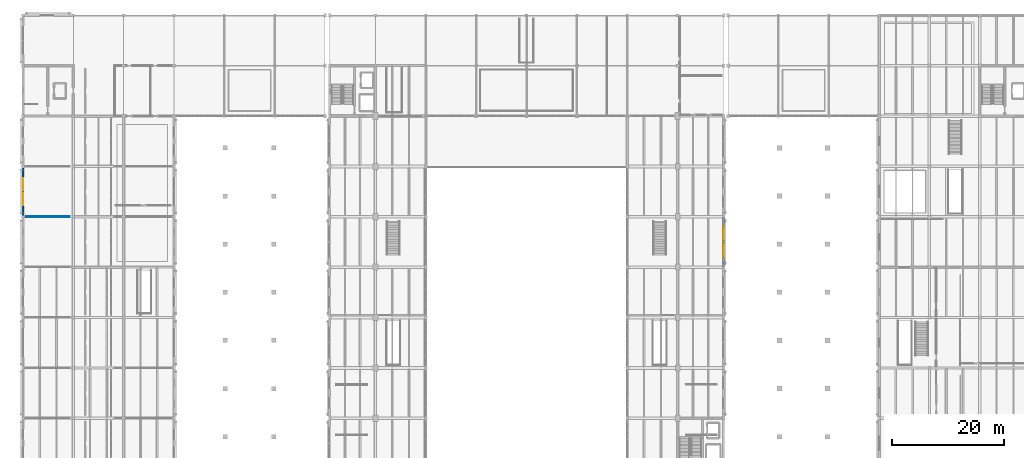
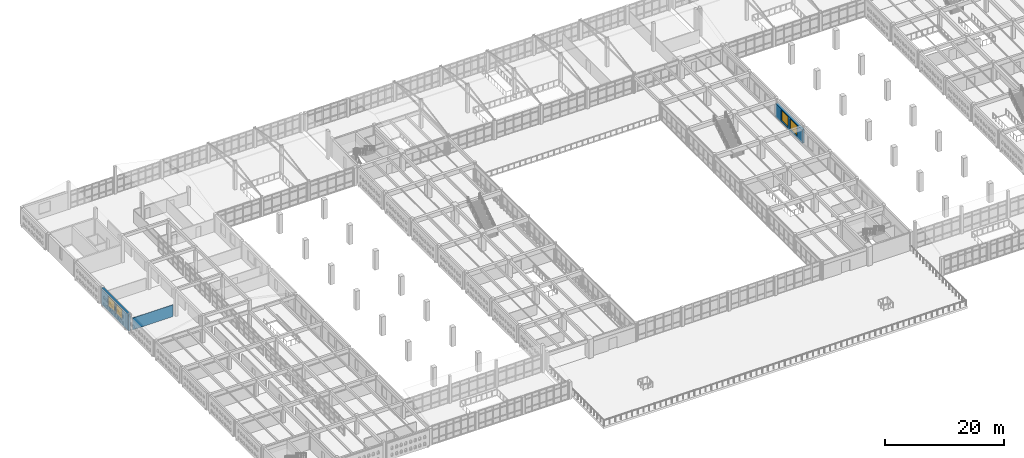
# One storey, part 130 of 156: 4 windows, 3 walls, 4 openings.
"""IFC4 building model written with IfcOpenShell, lengths in metres."""

import ifcopenshell
import ifcopenshell.guid

model = None  # the IFC model being written
_history = None  # IfcOwnerHistory: only IFC2X3 demands one
_inside = {}  # id of a spatial element -> (the spatial element, [elements in it])
_under = {}  # id of a project, library or spatial element -> (it, [spatial elements below it])
_declared = {}  # id of a project -> (the project, [libraries it declares])
_typed = {}  # id of a type object -> (the type object, [elements of that type])
_made_of = {}  # id of a material, layer set ... -> (it, [elements and type objects made of it])


def new_model(schema):
    """Start an empty IFC model of exactly this schema.

    Asked for "IFC4X3", IfcOpenShell would pick the latest addendum, in which some entities
    have other attributes; the version numbers below select the first issue.
    IFC2X3 requires an IfcOwnerHistory on every rooted entity: one is made here for all.
    """
    global model, _history
    if schema == "IFC4X3":
        model = ifcopenshell.file(schema_version=(4, 3, 0, 0))
    else:
        model = ifcopenshell.file(schema=schema)
    _inside.clear()
    _under.clear()
    _declared.clear()
    _typed.clear()
    _made_of.clear()
    _history = None
    if model.schema == "IFC2X3":
        org = make("IfcOrganization", Name="unknown")
        user = make(
            "IfcPersonAndOrganization",
            ThePerson=make("IfcPerson", FamilyName="unknown"),
            TheOrganization=org,
        )
        app = make(
            "IfcApplication",
            ApplicationDeveloper=org,
            Version="unknown",
            ApplicationFullName="unknown",
            ApplicationIdentifier="unknown",
        )
        _history = make(
            "IfcOwnerHistory",
            OwningUser=user,
            OwningApplication=app,
            ChangeAction="ADDED",
            CreationDate=0,
        )
    return model


def make(cls, **values):
    """One entity of the class cls with the attributes given. An attribute that is None is left unset."""
    return model.create_entity(
        cls, **{name: value for name, value in values.items() if value is not None}
    )


def rooted(cls, **values):
    """An entity with a GlobalId (a new one), such as an element, a storey or a relation."""
    return make(cls, GlobalId=ifcopenshell.guid.new(), OwnerHistory=_history, **values)


def si_unit(unit_type, name, prefix=None):
    """IfcSIUnit, for example si_unit("LENGTHUNIT", "METRE", prefix="MILLI")."""
    return make("IfcSIUnit", UnitType=unit_type, Prefix=prefix, Name=name)


def assignment(units):
    """IfcUnitAssignment: the units of a project."""
    return None if units is None else make("IfcUnitAssignment", Units=units)


def point(xyz):
    """IfcCartesianPoint."""
    return None if xyz is None else make("IfcCartesianPoint", Coordinates=xyz)


def direction(xyz):
    """IfcDirection."""
    return None if xyz is None else make("IfcDirection", DirectionRatios=xyz)


def frame(location, z_axis=None, x_axis=None):
    """IfcAxis2Placement3D, a coordinate frame: its origin and axes. An axis left out is left unset."""
    return make(
        "IfcAxis2Placement3D",
        Location=point(location),
        Axis=direction(z_axis),
        RefDirection=direction(x_axis),
    )


def frame_2d(location, x_axis=None):
    """IfcAxis2Placement2D, a coordinate frame in the plane: its origin and x axis."""
    return make(
        "IfcAxis2Placement2D", Location=point(location), RefDirection=direction(x_axis)
    )


def origin():
    """The frame at (0, 0, 0) with its axes left unset."""
    return frame((0.0, 0.0, 0.0))


def place(relative_to, where):
    """IfcLocalPlacement: puts the frame where relative to a parent placement (None: the world)."""
    return make(
        "IfcLocalPlacement", PlacementRelTo=relative_to, RelativePlacement=where
    )


def context(
    kind, dimensions, precision=None, world=None, true_north=None, identifier=None
):
    """IfcGeometricRepresentationContext, for example the 3D "Model" context."""
    return make(
        "IfcGeometricRepresentationContext",
        ContextIdentifier=identifier,
        ContextType=kind,
        CoordinateSpaceDimension=dimensions,
        Precision=precision,
        WorldCoordinateSystem=world,
        TrueNorth=true_north,
    )


def subcontext(parent, identifier, kind, view, scale=None):
    """IfcGeometricRepresentationSubContext, for example "Body" below "Model"."""
    return make(
        "IfcGeometricRepresentationSubContext",
        ContextIdentifier=identifier,
        ContextType=kind,
        ParentContext=parent,
        TargetScale=scale,
        TargetView=view,
    )


def project(units=None, contexts=None):
    """IfcProject with its units and contexts."""
    return rooted(
        "IfcProject",
        Name="project",
        RepresentationContexts=contexts,
        UnitsInContext=assignment(units),
    )


def spatial(cls, under=None, at=None, **own):
    """A site, building, storey or space (cls), placed at a placement, below another one or the project."""
    s = rooted(cls, ObjectPlacement=at, **own)
    if under is not None:
        _under.setdefault(under.id(), (under, []))[1].append(s)
    return s


def profile(cls, at=None, kind="AREA", **sizes):
    """A parametric profile (cls). Its sizes go by their IFC names, for example OverallWidth=200.0."""
    return make(cls, ProfileType=kind, Position=at, **sizes)


def rectangle(**sizes):
    """IfcRectangleProfileDef."""
    return profile("IfcRectangleProfileDef", **sizes)


def extrude(swept, where, along, depth):
    """IfcExtrudedAreaSolid: the profile swept, set in the frame where, extruded along a direction by depth."""
    return make(
        "IfcExtrudedAreaSolid",
        SweptArea=swept,
        Position=where,
        ExtrudedDirection=direction(along),
        Depth=depth,
    )


def shape(context_of_items, identifier, shape_type, items):
    """IfcShapeRepresentation: the items that make up one representation, for example the "Body"."""
    return make(
        "IfcShapeRepresentation",
        ContextOfItems=context_of_items,
        RepresentationIdentifier=identifier,
        RepresentationType=shape_type,
        Items=items,
    )


def material(Name=None, Category=None):
    """IfcMaterial."""
    return make("IfcMaterial", Name=Name, Category=Category)


def layer(
    of_material, thickness, ventilated=None, Name=None, Category=None, Priority=None
):
    """IfcMaterialLayer: one layer of a wall or slab, of a material (None: an air gap)."""
    return make(
        "IfcMaterialLayer",
        Material=of_material,
        LayerThickness=thickness,
        IsVentilated=ventilated,
        Name=Name,
        Category=Category,
        Priority=Priority,
    )


def layer_set(layers, Name=None):
    """IfcMaterialLayerSet."""
    return make("IfcMaterialLayerSet", MaterialLayers=layers, LayerSetName=Name)


def made_of(thing, what):
    """Note that an element or type object is made of a material, layer set ...; save() writes the relation."""
    if what is not None:
        _made_of.setdefault(what.id(), (what, []))[1].append(thing)
    return thing


def type_object(cls, material=None, **own):
    """A type object (cls), such as IfcWallType, which elements share."""
    return made_of(rooted(cls, **own), material)


def element(
    cls,
    number,
    at=None,
    inside=None,
    cuts=None,
    type_object=None,
    material=None,
    context=None,
    identifier="Body",
    shape_type=None,
    held_by="IfcProductDefinitionShape",
    body=None,
    shapes=None,
    **own,
):
    """One element of the class cls, such as IfcWall. Its Tag is "e" and its number.

    at: its placement. inside: the storey or other place that contains it. cuts: it is an
    opening in that element (IfcRelVoidsElement). A single representation is given by context,
    identifier, shape_type and body (its items); several are given by shapes. held_by: the class
    of the entity that holds the representations. save() writes the other relations.
    """
    e = rooted(cls, Tag="e%d" % number, ObjectPlacement=at, **own)
    if body is not None:
        shapes = [shape(context, identifier, shape_type, body)]
    if shapes is not None:
        e.Representation = make(held_by, Representations=shapes)
    if inside is not None:
        _inside.setdefault(inside.id(), (inside, []))[1].append(e)
    if cuts is not None:
        rooted(
            "IfcRelVoidsElement", RelatingBuildingElement=cuts, RelatedOpeningElement=e
        )
    if type_object is not None:
        _typed.setdefault(type_object.id(), (type_object, []))[1].append(e)
    return made_of(e, material)


def fill(opening, filler):
    """IfcRelFillsElement: the door or window that sits in an opening."""
    return rooted(
        "IfcRelFillsElement",
        RelatingOpeningElement=opening,
        RelatedBuildingElement=filler,
    )


def aggregate(whole, parts):
    """IfcRelAggregates: a whole, such as a stair, and the parts it consists of."""
    return rooted("IfcRelAggregates", RelatingObject=whole, RelatedObjects=parts)


def save(model, path):
    """Write the relations noted so far, then the file.

    IfcRelAggregates (storeys below a building ...), IfcRelContainedInSpatialStructure (elements
    in a storey), IfcRelDefinesByType, IfcRelAssociatesMaterial and IfcRelDeclares: one each for
    every whole, place, type object, material and project.
    """
    for whole, parts in _under.values():
        aggregate(whole, parts)
    for where, things in _inside.values():
        rooted(
            "IfcRelContainedInSpatialStructure",
            RelatedElements=things,
            RelatingStructure=where,
        )
    for kind, things in _typed.values():
        rooted("IfcRelDefinesByType", RelatedObjects=things, RelatingType=kind)
    for what, things in _made_of.values():
        rooted("IfcRelAssociatesMaterial", RelatedObjects=things, RelatingMaterial=what)
    for by, libraries in _declared.values():
        rooted("IfcRelDeclares", RelatingContext=by, RelatedDefinitions=libraries)
    model.write(path)


model = new_model("IFC4")

# Units and contexts
model_context = context("Model", 3, precision=1e-05, world=origin(), true_north=direction((0.0, 1.0)))
body_context = subcontext(model_context, "Body", "Model", "MODEL_VIEW")
ifc_project = project(units=[si_unit("LENGTHUNIT", "METRE"), si_unit("AREAUNIT", "SQUARE_METRE"), si_unit("VOLUMEUNIT", "CUBIC_METRE"), si_unit("PLANEANGLEUNIT", "RADIAN"), si_unit("MASSUNIT", "GRAM", prefix="KILO")], contexts=[model_context])

# Site, building, storey
site_placement = place(None, origin())
site = spatial("IfcSite", under=ifc_project, at=site_placement, CompositionType="ELEMENT")
building_placement = place(site_placement, origin())
building = spatial("IfcBuilding", under=site, at=building_placement, Name="Ornek Quay Market", CompositionType="ELEMENT")
storey_placement = place(building_placement, frame((0.0, 0.0, 4.5)))
storey = spatial("IfcBuildingStorey", under=building, at=storey_placement, Name="L01", CompositionType="ELEMENT", Elevation=4.5)

# Wall, openings, windows
ifc_material_1 = material(Name="Frost-resistant facing clay brick M200 F100", Category="masonry")
ifc_layer_1 = layer(ifc_material_1, 0.419921875, Name="Frost-resistant facing clay brick M200 F100", Category="masonry")
ifc_layer_set_1 = layer_set([ifc_layer_1], Name="Frost-resistant facing clay brick M200 F100")
wall_type_1 = type_object("IfcWallType", Name="WL-EXT-HALL-420", PredefinedType="STANDARD", material=ifc_layer_set_1)
wall_1_placement = place(storey_placement, frame((125.199951171875, 65.0, 0.0), z_axis=(0.0, 0.0, 1.0), x_axis=(0.0, 1.0, 0.0)))
wall_1 = element("IfcWall", 1, at=wall_1_placement, inside=storey, type_object=wall_type_1, Name="Exterior wall EW-138", PredefinedType="STANDARD", context=body_context, shape_type="SweptSolid", body=[
    extrude(rectangle(XDim=9.0, YDim=0.419921875, at=frame_2d((4.5, 0.0))), origin(), (0.0, 0.0, 1.0), 2.7900390625),
])
opening_1_placement = place(wall_1_placement, frame((1.800048828125, 0.0, 0.35009765625)))
opening_1 = element("IfcOpeningElement", 2, at=opening_1_placement, cuts=wall_1, Name="Opening W-01-106", PredefinedType="OPENING", context=body_context, shape_type="SweptSolid", body=[
    extrude(rectangle(XDim=2.39990234375, YDim=2.260009765625, at=frame_2d((1.199951171875, 1.1298828125))), frame((0.0, 0.219970703125, 0.0), z_axis=(0.0, -1.0, 0.0), x_axis=(1.0, 0.0, 0.0)), (0.0, 0.0, 1.0), 0.43994140625),
])
opening_2_placement = place(wall_1_placement, frame((4.800048828125, 0.0, 0.35009765625)))
opening_2 = element("IfcOpeningElement", 3, at=opening_2_placement, cuts=wall_1, Name="Opening W-01-107", PredefinedType="OPENING", context=body_context, shape_type="SweptSolid", body=[
    extrude(rectangle(XDim=2.39990234375, YDim=2.260009765625, at=frame_2d((1.199951171875, 1.1298828125))), frame((0.0, 0.219970703125, 0.0), z_axis=(0.0, -1.0, 0.0), x_axis=(1.0, 0.0, 0.0)), (0.0, 0.0, 1.0), 0.43994140625),
])
ifc_material_2 = material(Name="Thermally broken bronze aluminium and triple low-e glass", Category="aluminium")
window_type_1 = type_object("IfcWindowType", Name="WN-HALL-2400x2600", PartitioningType="DOUBLE_PANEL_VERTICAL", PredefinedType="WINDOW", material=ifc_material_2)
window_1_placement = place(opening_1_placement, origin())
window_1 = element("IfcWindow", 4, at=window_1_placement, inside=storey, type_object=window_type_1, Name="Window W-01-106", OverallHeight=2.260009765625, OverallWidth=2.39990234375, PartitioningType="SINGLE_PANEL", PredefinedType="WINDOW", context=body_context, shape_type="SweptSolid", body=[
    extrude(rectangle(XDim=2.39990234375, YDim=2.260009765625, at=frame_2d((1.199951171875, 1.1298828125))), frame((0.0, 0.030029296875, 0.0), z_axis=(0.0, -1.0, 0.0), x_axis=(1.0, 0.0, 0.0)), (0.0, 0.0, 1.0), 0.06005859375),
])
fill(opening_1, window_1)
window_2_placement = place(opening_2_placement, origin())
window_2 = element("IfcWindow", 5, at=window_2_placement, inside=storey, type_object=window_type_1, Name="Window W-01-107", OverallHeight=2.260009765625, OverallWidth=2.39990234375, PartitioningType="SINGLE_PANEL", PredefinedType="WINDOW", context=body_context, shape_type="SweptSolid", body=[
    extrude(rectangle(XDim=2.39990234375, YDim=2.260009765625, at=frame_2d((1.199951171875, 1.1298828125))), frame((0.0, 0.030029296875, 0.0), z_axis=(0.0, -1.0, 0.0), x_axis=(1.0, 0.0, 0.0)), (0.0, 0.0, 1.0), 0.06005859375),
])
fill(opening_2, window_2)

ifc_layer_2 = layer(ifc_material_1, 0.3798828125, Name="Frost-resistant facing clay brick M200 F100", Category="masonry")
ifc_layer_set_2 = layer_set([ifc_layer_2], Name="Frost-resistant facing clay brick M200 F100")
wall_type_2 = type_object("IfcWallType", Name="WL-EXT-WING-380", PredefinedType="STANDARD", material=ifc_layer_set_2)
wall_2_placement = place(storey_placement, frame((0.0, 74.0, 0.0), z_axis=(0.0, 0.0, 1.0), x_axis=(0.0, 1.0, 0.0)))
wall_2 = element("IfcWall", 6, at=wall_2_placement, inside=storey, type_object=wall_type_2, Name="Exterior wall EW-066", PredefinedType="STANDARD", context=body_context, shape_type="SweptSolid", body=[
    extrude(rectangle(XDim=9.0, YDim=0.3798828125, at=frame_2d((4.5, 0.0))), origin(), (0.0, 0.0, 1.0), 3.47998046875),
])
opening_3_placement = place(wall_2_placement, frame((2.10009765625, 0.0, 0.949951171875)))
opening_3 = element("IfcOpeningElement", 7, at=opening_3_placement, cuts=wall_2, Name="Opening W-12-038", PredefinedType="OPENING", context=body_context, shape_type="SweptSolid", body=[
    extrude(rectangle(XDim=2.199951171875, YDim=2.10009765625, at=frame_2d((1.10009765625, 1.050048828125))), frame((0.0, 0.199951171875, 0.0), z_axis=(0.0, -1.0, 0.0), x_axis=(1.0, 0.0, 0.0)), (0.0, 0.0, 1.0), 0.39990234375),
])
opening_4_placement = place(wall_2_placement, frame((4.699951171875, 0.0, 0.949951171875)))
opening_4 = element("IfcOpeningElement", 8, at=opening_4_placement, cuts=wall_2, Name="Opening W-12-039", PredefinedType="OPENING", context=body_context, shape_type="SweptSolid", body=[
    extrude(rectangle(XDim=2.199951171875, YDim=2.10009765625, at=frame_2d((1.10009765625, 1.050048828125))), frame((0.0, 0.199951171875, 0.0), z_axis=(0.0, -1.0, 0.0), x_axis=(1.0, 0.0, 0.0)), (0.0, 0.0, 1.0), 0.39990234375),
])
window_type_2 = type_object("IfcWindowType", Name="WN-WW-2200x2100", PartitioningType="DOUBLE_PANEL_VERTICAL", PredefinedType="WINDOW", material=ifc_material_2)
window_3_placement = place(opening_3_placement, origin())
window_3 = element("IfcWindow", 9, at=window_3_placement, inside=storey, type_object=window_type_2, Name="Window W-12-038", OverallHeight=2.10009765625, OverallWidth=2.199951171875, PartitioningType="SINGLE_PANEL", PredefinedType="WINDOW", context=body_context, shape_type="SweptSolid", body=[
    extrude(rectangle(XDim=2.199951171875, YDim=2.10009765625, at=frame_2d((1.10009765625, 1.050048828125))), frame((0.0, 0.030029296875, 0.0), z_axis=(0.0, -1.0, 0.0), x_axis=(1.0, 0.0, 0.0)), (0.0, 0.0, 1.0), 0.06005859375),
])
fill(opening_3, window_3)
window_4_placement = place(opening_4_placement, origin())
window_4 = element("IfcWindow", 10, at=window_4_placement, inside=storey, type_object=window_type_2, Name="Window W-12-039", OverallHeight=2.10009765625, OverallWidth=2.199951171875, PartitioningType="SINGLE_PANEL", PredefinedType="WINDOW", context=body_context, shape_type="SweptSolid", body=[
    extrude(rectangle(XDim=2.199951171875, YDim=2.10009765625, at=frame_2d((1.10009765625, 1.050048828125))), frame((0.0, 0.030029296875, 0.0), z_axis=(0.0, -1.0, 0.0), x_axis=(1.0, 0.0, 0.0)), (0.0, 0.0, 1.0), 0.06005859375),
])
fill(opening_4, window_4)

# Wall
ifc_material_3 = material(Name="Fair-faced brick stall divider wall", Category="masonry")
ifc_layer_3 = layer(ifc_material_3, 0.114990234375, Name="Fair-faced brick stall divider wall", Category="masonry")
ifc_layer_set_3 = layer_set([ifc_layer_3], Name="Fair-faced brick stall divider wall")
wall_type_3 = type_object("IfcWallType", Name="WL-STALL-115", PredefinedType="PARTITIONING", material=ifc_layer_set_3)
wall_3_placement = place(storey_placement, frame((0.60009765625, 74.0, 0.0), z_axis=(0.0, 0.0, 1.0), x_axis=(1.0, 0.0, 0.0)))
element("IfcWall", 11, at=wall_3_placement, inside=storey, type_object=wall_type_3, Name="Interior wall W-STL1-260", PredefinedType="PARTITIONING", context=body_context, shape_type="SweptSolid", body=[
    extrude(rectangle(XDim=7.7998046875, YDim=0.114990234375, at=frame_2d((3.89990234375, 0.0))), origin(), (0.0, 0.0, 1.0), 2.39990234375),
])

save(model, "model.ifc")
